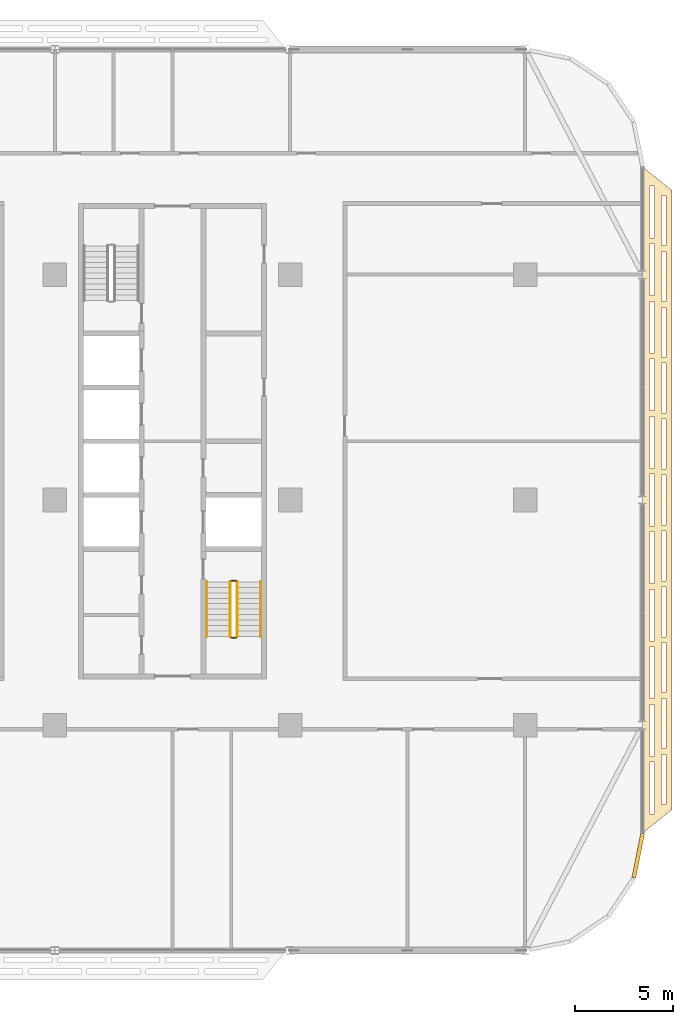
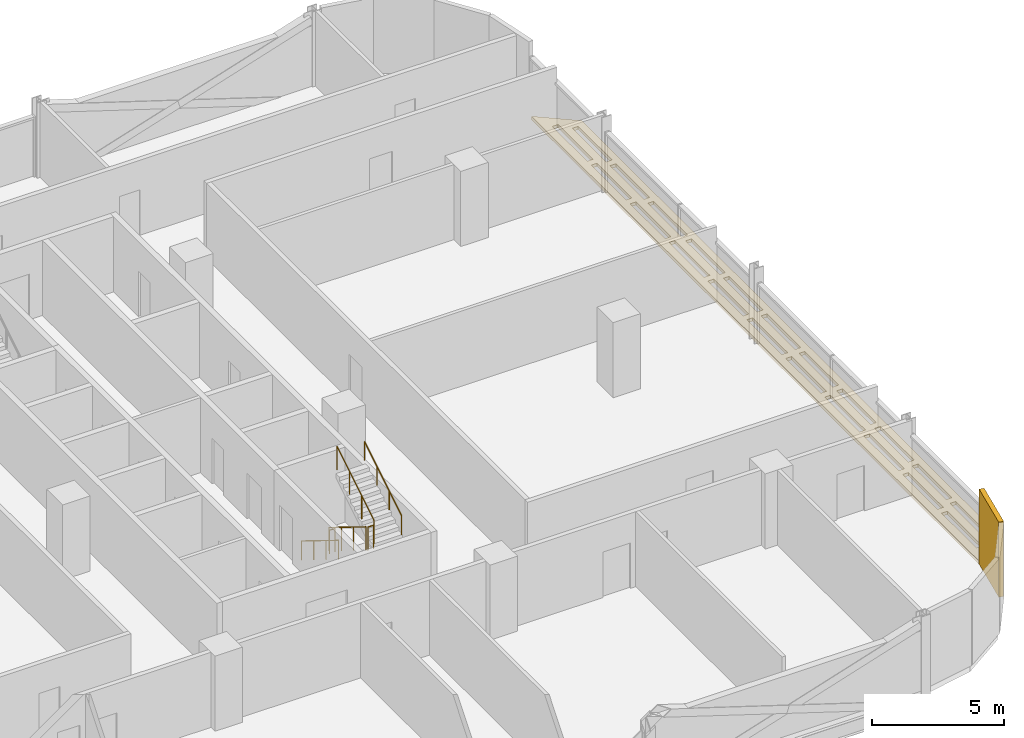
# One storey, part 26 of 27: 6 railings, 2 coverings.
"""IFC4 building model written with IfcOpenShell, lengths in metres."""

from ifc_helpers import new_model, si_unit, direction, frame, origin, origin_2d, place, context, subcontext, project, spatial, polyline, rectangle, circle, outline, extrude, material, layer, layer_set, type_object, element, save


model = new_model("IFC4")

# Units and contexts
model_context = context("Model", 3, precision=1e-05, world=origin(), true_north=direction((0.0, 1.0)))
body_context = subcontext(model_context, "Body", "Model", "MODEL_VIEW")
ifc_project = project(units=[si_unit("LENGTHUNIT", "METRE"), si_unit("AREAUNIT", "SQUARE_METRE"), si_unit("VOLUMEUNIT", "CUBIC_METRE"), si_unit("PLANEANGLEUNIT", "RADIAN"), si_unit("MASSUNIT", "GRAM", prefix="KILO")], contexts=[model_context])

# Site, building, storey
site_placement = place(None, origin())
site = spatial("IfcSite", under=ifc_project, at=site_placement, CompositionType="ELEMENT")
building_placement = place(site_placement, origin())
building = spatial("IfcBuilding", under=site, at=building_placement, Name="Mahtab Terrace Research Tower", CompositionType="ELEMENT")
storey_placement = place(building_placement, frame((0.0, 0.0, 163.0)))
storey = spatial("IfcBuildingStorey", under=building, at=storey_placement, Name="L38", CompositionType="ELEMENT", Elevation=163.0)

# Coverings
ifc_material_1 = material(Name="Black aluminium cladding panel", Category="aluminium")
ifc_layer_1 = layer(ifc_material_1, 0.199951171875)
ifc_layer_set_1 = layer_set([ifc_layer_1], Name="Black metal corner cladding 200")
covering_type_1 = type_object("IfcCoveringType", Name="Black metal corner cladding 200", PredefinedType="CLADDING", material=ifc_layer_set_1)
covering_1_placement = place(storey_placement, frame((47.771484375, -18.14794921875, 0.0), z_axis=(0.0, 0.0, 1.0), x_axis=(0.195212442692, 0.980760981187, 0.0)))
element("IfcCovering", 1, at=covering_1_placement, inside=storey, type_object=covering_type_1, Name="Corner cladding L38 33", PredefinedType="CLADDING", context=body_context, shape_type="SweptSolid", body=[
    extrude(rectangle(XDim=2.30126953125, YDim=0.199951171875, at=origin_2d()), origin(), (0.0, 0.0, 1.0), 3.4599609375),
])
ifc_material_2 = material(Name="Black anodised aluminium", Category="aluminium")
ifc_layer_2 = layer(ifc_material_2, 0.14990234375)
ifc_layer_set_2 = layer_set([ifc_layer_2], Name="Horizontal sunshade band")
covering_type_2 = type_object("IfcCoveringType", Name="Horizontal sunshade band", PredefinedType="CLADDING", material=ifc_layer_set_2)
covering_2_placement = place(storey_placement, frame((0.0, 0.0, -0.14990234375)))
element("IfcCovering", 2, at=covering_2_placement, inside=storey, type_object=covering_type_2, Name="Sunshade band L38 34", PredefinedType="CLADDING", context=body_context, shape_type="SweptSolid", body=[
    extrude(outline(polyline([(48.0, -17.0), (48.0, 17.0), (49.5, 15.800048828125), (49.5, -15.800048828125), (48.0, -17.0)]), holes=[polyline([(48.35009765625, -16.02001953125), (48.35009765625, -13.3798828125), (48.60009765625, -13.3798828125), (48.60009765625, -16.02001953125), (48.35009765625, -16.02001953125)]), polyline([(48.35009765625, -13.080078125), (48.35009765625, -10.43994140625), (48.60009765625, -10.43994140625), (48.60009765625, -13.080078125), (48.35009765625, -13.080078125)]), polyline([(48.35009765625, -10.139892578125), (48.35009765625, -7.5), (48.60009765625, -7.5), (48.60009765625, -10.139892578125), (48.35009765625, -10.139892578125)]), polyline([(48.35009765625, -7.199951171875), (48.35009765625, -4.56005859375), (48.60009765625, -4.56005859375), (48.60009765625, -7.199951171875), (48.35009765625, -7.199951171875)]), polyline([(48.35009765625, -4.260009765625), (48.35009765625, -1.6201171875), (48.60009765625, -1.6201171875), (48.60009765625, -4.260009765625), (48.35009765625, -4.260009765625)]), polyline([(48.35009765625, -1.320068359375), (48.35009765625, 1.320068359375), (48.60009765625, 1.320068359375), (48.60009765625, -1.320068359375), (48.35009765625, -1.320068359375)]), polyline([(48.35009765625, 1.6201171875), (48.35009765625, 4.260009765625), (48.60009765625, 4.260009765625), (48.60009765625, 1.6201171875), (48.35009765625, 1.6201171875)]), polyline([(48.35009765625, 4.56005859375), (48.35009765625, 7.199951171875), (48.60009765625, 7.199951171875), (48.60009765625, 4.56005859375), (48.35009765625, 4.56005859375)]), polyline([(48.35009765625, 7.5), (48.35009765625, 10.139892578125), (48.60009765625, 10.139892578125), (48.60009765625, 7.5), (48.35009765625, 7.5)]), polyline([(48.35009765625, 10.43994140625), (48.35009765625, 13.080078125), (48.60009765625, 13.080078125), (48.60009765625, 10.43994140625), (48.35009765625, 10.43994140625)]), polyline([(48.35009765625, 13.3798828125), (48.35009765625, 16.02001953125), (48.60009765625, 16.02001953125), (48.60009765625, 13.3798828125), (48.35009765625, 13.3798828125)]), polyline([(48.949951171875, -15.5400390625), (48.949951171875, -12.987060546875), (49.199951171875, -12.987060546875), (49.199951171875, -15.5400390625), (48.949951171875, -15.5400390625)]), polyline([(48.949951171875, -12.68701171875), (48.949951171875, -10.135009765625), (49.199951171875, -10.135009765625), (49.199951171875, -12.68701171875), (48.949951171875, -12.68701171875)]), polyline([(48.949951171875, -9.8349609375), (48.949951171875, -7.281982421875), (49.199951171875, -7.281982421875), (49.199951171875, -9.8349609375), (48.949951171875, -9.8349609375)]), polyline([(48.949951171875, -6.98193359375), (48.949951171875, -4.428955078125), (49.199951171875, -4.428955078125), (49.199951171875, -6.98193359375), (48.949951171875, -6.98193359375)]), polyline([(48.949951171875, -4.12890625), (48.949951171875, -1.575927734375), (49.199951171875, -1.575927734375), (49.199951171875, -4.12890625), (48.949951171875, -4.12890625)]), polyline([(48.949951171875, -1.27587890625), (48.949951171875, 1.27587890625), (49.199951171875, 1.27587890625), (49.199951171875, -1.27587890625), (48.949951171875, -1.27587890625)]), polyline([(48.949951171875, 1.575927734375), (48.949951171875, 4.12890625), (49.199951171875, 4.12890625), (49.199951171875, 1.575927734375), (48.949951171875, 1.575927734375)]), polyline([(48.949951171875, 4.428955078125), (48.949951171875, 6.98193359375), (49.199951171875, 6.98193359375), (49.199951171875, 4.428955078125), (48.949951171875, 4.428955078125)]), polyline([(48.949951171875, 7.281982421875), (48.949951171875, 9.8349609375), (49.199951171875, 9.8349609375), (49.199951171875, 7.281982421875), (48.949951171875, 7.281982421875)]), polyline([(48.949951171875, 10.135009765625), (48.949951171875, 12.68701171875), (49.199951171875, 12.68701171875), (49.199951171875, 10.135009765625), (48.949951171875, 10.135009765625)]), polyline([(48.949951171875, 12.987060546875), (48.949951171875, 15.5400390625), (49.199951171875, 15.5400390625), (49.199951171875, 12.987060546875), (48.949951171875, 12.987060546875)])]), origin(), (0.0, 0.0, 1.0), 0.14990234375),
])

# Railings
ifc_material_3 = material(Name="Stainless steel AISI 304", Category="steel")
railing_type_1 = type_object("IfcRailingType", Name="Stair guard 1100", PredefinedType="GUARDRAIL", material=ifc_material_3)
railing_1_placement = place(storey_placement, frame((26.949951171875, -4.175048828125, 0.172607421875)))
element("IfcRailing", 3, at=railing_1_placement, inside=storey, type_object=railing_type_1, Name="L38 ST4 stair guard 1", PredefinedType="GUARDRAIL", context=body_context, shape_type="SweptSolid", body=[
    extrude(circle(Radius=0.02392578125, at=origin_2d()), frame((0.0, 0.0, 1.076171875), z_axis=(0.0, -0.851089632645, 0.525020415988), x_axis=(1.0, 0.0, 0.0)), (0.0, 0.0, 1.0), 3.2900390625),
    extrude(circle(Radius=0.02099609375, at=origin_2d()), origin(), (0.0, 0.0, 1.0), 1.052001953125),
    extrude(circle(Radius=0.02099609375, at=origin_2d()), frame((0.0, -0.933349609375, 0.57568359375)), (0.0, 0.0, 1.0), 1.052001953125),
    extrude(circle(Radius=0.02099609375, at=origin_2d()), frame((0.0, -1.86669921875, 1.151611328125)), (0.0, 0.0, 1.0), 1.052001953125),
    extrude(circle(Radius=0.02099609375, at=origin_2d()), frame((0.0, -2.800048828125, 1.727294921875)), (0.0, 0.0, 1.0), 1.052001953125),
])
railing_2_placement = place(storey_placement, frame((27.0, -7.02490234375, 1.89990234375)))
element("IfcRailing", 4, at=railing_2_placement, inside=storey, type_object=railing_type_1, Name="L38 ST4 stair guard 2", PredefinedType="GUARDRAIL", context=body_context, shape_type="SweptSolid", body=[
    extrude(circle(Radius=0.02392578125, at=origin_2d()), frame((0.0, 0.0, 1.076171875), z_axis=(1.0, 0.0, 0.0), x_axis=(0.0, 1.0, 0.0)), (0.0, 0.0, 1.0), 0.25),
    extrude(circle(Radius=0.02099609375, at=origin_2d()), origin(), (0.0, 0.0, 1.0), 1.052001953125),
    extrude(circle(Radius=0.02099609375, at=origin_2d()), frame((0.25, 0.0, 0.0)), (0.0, 0.0, 1.0), 1.052001953125),
])
railing_3_placement = place(storey_placement, frame((27.300048828125, -6.97509765625, 2.07275390625)))
element("IfcRailing", 5, at=railing_3_placement, inside=storey, type_object=railing_type_1, Name="L38 ST4 stair guard 3", PredefinedType="GUARDRAIL", context=body_context, shape_type="SweptSolid", body=[
    extrude(circle(Radius=0.02392578125, at=origin_2d()), frame((0.0, 0.0, 1.076171875), z_axis=(0.0, 0.851089632645, 0.525020415988), x_axis=(-1.0, 0.0, 0.0)), (0.0, 0.0, 1.0), 3.2900390625),
    extrude(circle(Radius=0.02099609375, at=origin_2d()), origin(), (0.0, 0.0, 1.0), 1.052001953125),
    extrude(circle(Radius=0.02099609375, at=origin_2d()), frame((0.0, 0.933349609375, 0.57568359375)), (0.0, 0.0, 1.0), 1.052001953125),
    extrude(circle(Radius=0.02099609375, at=origin_2d()), frame((0.0, 1.86669921875, 1.151611328125)), (0.0, 0.0, 1.0), 1.052001953125),
    extrude(circle(Radius=0.02099609375, at=origin_2d()), frame((0.0, 2.800048828125, 1.727294921875)), (0.0, 0.0, 1.0), 1.052001953125),
])
railing_4_placement = place(storey_placement, frame((27.0, -4.125, 0.0)))
element("IfcRailing", 6, at=railing_4_placement, inside=storey, type_object=railing_type_1, Name="L38 ST4 stair guard 4", PredefinedType="GUARDRAIL", context=body_context, shape_type="SweptSolid", body=[
    extrude(circle(Radius=0.02392578125, at=origin_2d()), frame((0.0, 0.0, 1.076171875), z_axis=(1.0, 0.0, 0.0), x_axis=(0.0, 1.0, 0.0)), (0.0, 0.0, 1.0), 0.25),
    extrude(circle(Radius=0.02099609375, at=origin_2d()), origin(), (0.0, 0.0, 1.0), 1.052001953125),
    extrude(circle(Radius=0.02099609375, at=origin_2d()), frame((0.25, 0.0, 0.0)), (0.0, 0.0, 1.0), 1.052001953125),
])
railing_type_2 = type_object("IfcRailingType", Name="Stair handrail 900", PredefinedType="HANDRAIL", material=ifc_material_3)
railing_5_placement = place(storey_placement, frame((25.75, -4.175048828125, 0.172607421875)))
element("IfcRailing", 7, at=railing_5_placement, inside=storey, type_object=railing_type_2, Name="L38 ST4 stair handrail 1", PredefinedType="HANDRAIL", context=body_context, shape_type="SweptSolid", body=[
    extrude(circle(Radius=0.02392578125, at=origin_2d()), frame((0.0, 0.0, 0.8759765625), z_axis=(0.0, -0.851089632645, 0.525020415988), x_axis=(1.0, 0.0, 0.0)), (0.0, 0.0, 1.0), 3.2900390625),
    extrude(circle(Radius=0.02099609375, at=origin_2d()), origin(), (0.0, 0.0, 1.0), 0.851806640625),
    extrude(circle(Radius=0.02099609375, at=origin_2d()), frame((0.0, -0.933349609375, 0.57568359375)), (0.0, 0.0, 1.0), 0.851806640625),
    extrude(circle(Radius=0.02099609375, at=origin_2d()), frame((0.0, -1.86669921875, 1.151611328125)), (0.0, 0.0, 1.0), 0.851806640625),
    extrude(circle(Radius=0.02099609375, at=origin_2d()), frame((0.0, -2.800048828125, 1.727294921875)), (0.0, 0.0, 1.0), 0.851806640625),
])
railing_6_placement = place(storey_placement, frame((28.5, -6.97509765625, 2.07275390625)))
element("IfcRailing", 8, at=railing_6_placement, inside=storey, type_object=railing_type_2, Name="L38 ST4 stair handrail 2", PredefinedType="HANDRAIL", context=body_context, shape_type="SweptSolid", body=[
    extrude(circle(Radius=0.02392578125, at=origin_2d()), frame((0.0, 0.0, 0.8759765625), z_axis=(0.0, 0.851089632645, 0.525020415988), x_axis=(-1.0, 0.0, 0.0)), (0.0, 0.0, 1.0), 3.2900390625),
    extrude(circle(Radius=0.02099609375, at=origin_2d()), origin(), (0.0, 0.0, 1.0), 0.851806640625),
    extrude(circle(Radius=0.02099609375, at=origin_2d()), frame((0.0, 0.933349609375, 0.57568359375)), (0.0, 0.0, 1.0), 0.851806640625),
    extrude(circle(Radius=0.02099609375, at=origin_2d()), frame((0.0, 1.86669921875, 1.151611328125)), (0.0, 0.0, 1.0), 0.851806640625),
    extrude(circle(Radius=0.02099609375, at=origin_2d()), frame((0.0, 2.800048828125, 1.727294921875)), (0.0, 0.0, 1.0), 0.851806640625),
])

save(model, "model.ifc")
